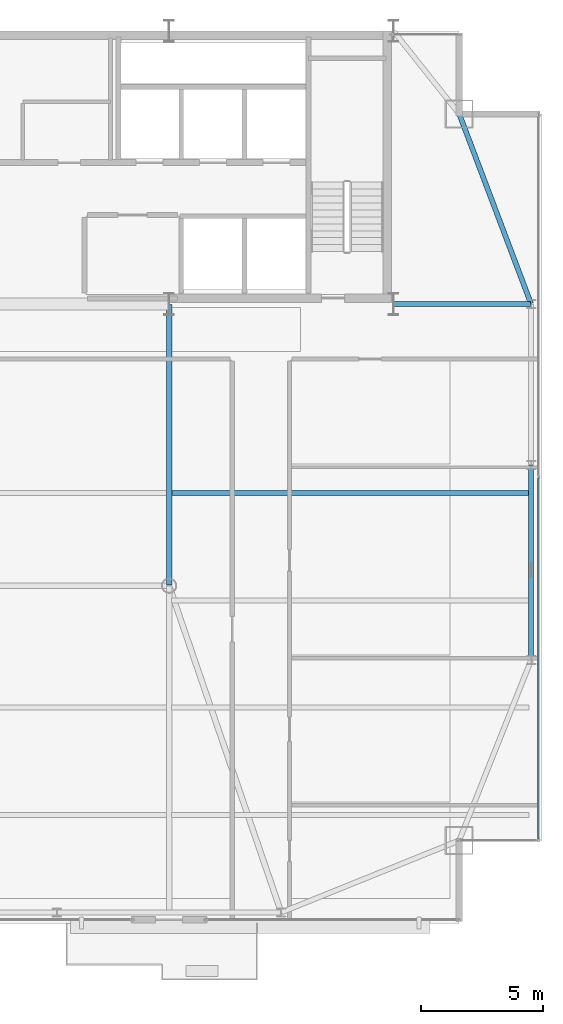
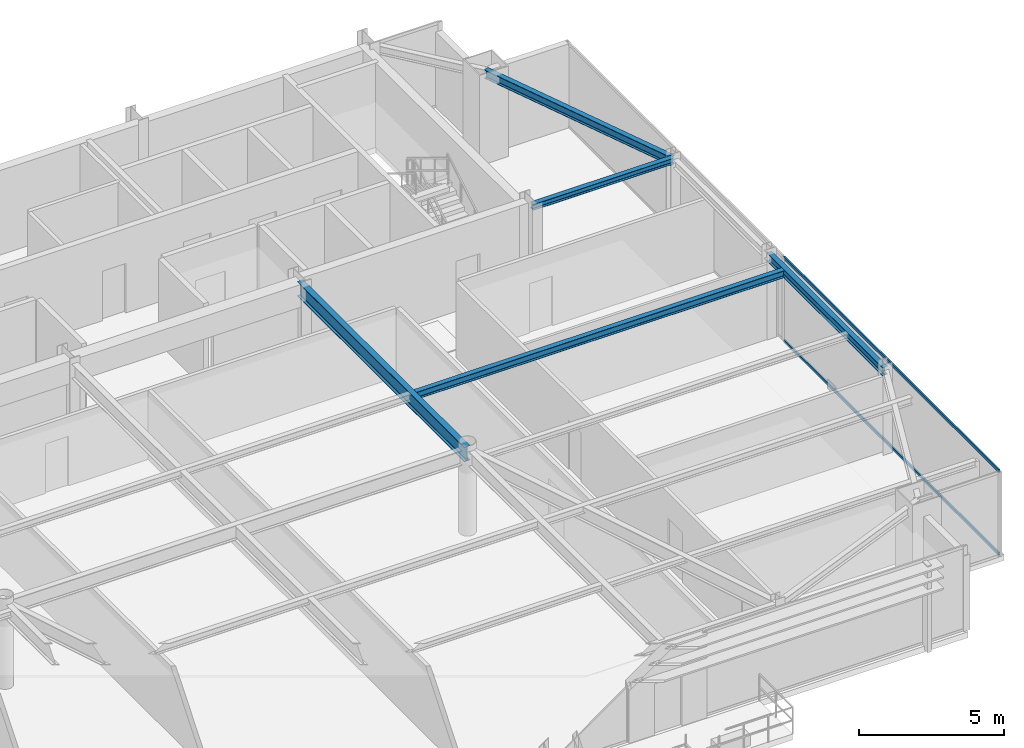
# One storey, part 18 of 30: 5 beams, 2 members, 1 element without a shape of its own.
"""IFC4 building model written with IfcOpenShell, lengths in metres."""

from ifc_helpers import new_model, si_unit, direction, frame, origin, origin_2d, place, context, subcontext, project, spatial, hollow_rectangle, i_section, extrude, source, transform, mapped, material, layer, layer_set, material_profile, profile_set, type_object, type_shapes, element, aggregate, save


model = new_model("IFC4")

# Units and contexts
model_context = context("Model", 3, precision=1e-05, world=origin(), true_north=direction((0.0, 1.0)))
body_context = subcontext(model_context, "Body", "Model", "MODEL_VIEW")
ifc_project = project(units=[si_unit("LENGTHUNIT", "METRE"), si_unit("AREAUNIT", "SQUARE_METRE"), si_unit("VOLUMEUNIT", "CUBIC_METRE"), si_unit("PLANEANGLEUNIT", "RADIAN"), si_unit("MASSUNIT", "GRAM", prefix="KILO")], contexts=[model_context])

# Site, building, storey
site_placement = place(None, origin())
site = spatial("IfcSite", under=ifc_project, at=site_placement, CompositionType="ELEMENT")
building_placement = place(site_placement, origin())
building = spatial("IfcBuilding", under=site, at=building_placement, Name="Varnel Quay Broadcast Tower", CompositionType="ELEMENT")
storey_placement = place(building_placement, frame((0.0, 0.0, 207.39990234375)))
storey = spatial("IfcBuildingStorey", under=building, at=storey_placement, Name="L51", CompositionType="ELEMENT", Elevation=207.39990234375)

# Beams
ifc_material_1 = material(Name="Structural Steel CSA G40.21 350W", Category="steel")
ifc_material_profile_1 = material_profile(ifc_material_1, i_section(OverallWidth=0.205078125, OverallDepth=0.35400390625, WebThickness=0.009521484375, FlangeThickness=0.016845703125, FilletRadius=0.012939453125, at=origin_2d()), Name="W360X79")
ifc_profile_set_1 = profile_set([ifc_material_profile_1], Name="Structural Steel CSA G40.21 350W")
beam_type_1 = type_object("IfcBeamType", Name="Beam_W360X79", PredefinedType="SPANDREL", material=ifc_profile_set_1)
shared_shape_1 = source(origin(), body_context, "Body", "SweptSolid", [
    extrude(i_section(OverallWidth=0.205078125, OverallDepth=0.35400390625, WebThickness=0.009521484375, FlangeThickness=0.016845703125, FilletRadius=0.012939453125, at=origin_2d()), origin(), (0.0, 0.0, 1.0), 7.9599609375),
])
beam_1_placement = place(storey_placement, frame((58.050048828125, 21.02001953125, 3.373046875), z_axis=(0.0, 1.0, 0.0), x_axis=(-1.0, 0.0, 0.0)))
element("IfcBeam", 1, at=beam_1_placement, inside=storey, type_object=beam_type_1, Name="L51 East Spandrel TC-E1-TC-E2", PredefinedType="SPANDREL", context=body_context, shape_type="MappedRepresentation", body=[
    mapped(shared_shape_1, transform((0.0, 0.0, 0.0), x_axis=(1.0, 0.0, 0.0), y_axis=(0.0, 1.0, 0.0), z_axis=(0.0, 0.0, 1.0), scale=1.0)),
])
shared_shape_2 = source(origin(), body_context, "Body", "SweptSolid", [
    extrude(i_section(OverallWidth=0.205078125, OverallDepth=0.35400390625, WebThickness=0.009521484375, FlangeThickness=0.016845703125, FilletRadius=0.012939453125, at=origin_2d()), origin(), (0.0, 0.0, 1.0), 8.29931640625),
])
type_shapes(beam_type_1, [shared_shape_1, shared_shape_2])
beam_2_placement = place(storey_placement, frame((58.04296875, 35.61865234375, 3.373046875), z_axis=(-0.353739782058, 0.935343876117, 0.0), x_axis=(-0.935343876117, -0.353739782058, 0.0)))
element("IfcBeam", 2, at=beam_2_placement, inside=storey, type_object=beam_type_1, Name="L51 East Spandrel TC-E3-MC-NE", PredefinedType="SPANDREL", context=body_context, shape_type="MappedRepresentation", body=[
    mapped(shared_shape_2, transform((0.0, 0.0, 0.0), x_axis=(1.0, 0.0, 0.0), y_axis=(0.0, 1.0, 0.0), z_axis=(0.0, 0.0, 1.0), scale=1.0)),
])
ifc_material_profile_2 = material_profile(ifc_material_1, i_section(OverallWidth=0.22998046875, OverallDepth=0.616943359375, WebThickness=0.01318359375, FlangeThickness=0.022216796875, FilletRadius=0.01611328125, at=origin_2d()), Name="W610X140")
ifc_profile_set_2 = profile_set([ifc_material_profile_2], Name="Structural Steel CSA G40.21 350W")
beam_type_2 = type_object("IfcBeamType", Name="Girder_W610X140", PredefinedType="BEAM", material=ifc_profile_set_2)
shared_shape_3 = source(origin(), body_context, "Body", "SweptSolid", [
    extrude(i_section(OverallWidth=0.22998046875, OverallDepth=0.616943359375, WebThickness=0.01318359375, FlangeThickness=0.022216796875, FilletRadius=0.01611328125, at=origin_2d()), origin(), (0.0, 0.0, 1.0), 11.510009765625),
])
type_shapes(beam_type_2, [shared_shape_3])
beam_3_placement = place(storey_placement, frame((43.199951171875, 24.070068359375, 3.24169921875), z_axis=(0.0, 1.0, 0.0), x_axis=(-1.0, 0.0, 0.0)))
element("IfcBeam", 3, at=beam_3_placement, inside=storey, type_object=beam_type_2, Name="L51 Primary Girder IC-02-CC-S4", PredefinedType="BEAM", context=body_context, shape_type="MappedRepresentation", body=[
    mapped(shared_shape_3, transform((0.0, 0.0, 0.0), x_axis=(1.0, 0.0, 0.0), y_axis=(0.0, 1.0, 0.0), z_axis=(0.0, 0.0, 1.0), scale=1.0)),
])
ifc_material_profile_3 = material_profile(ifc_material_1, i_section(OverallWidth=0.201904296875, OverallDepth=0.2470703125, WebThickness=0.00732421875, FlangeThickness=0.010986328125, FilletRadius=0.010986328125, at=origin_2d()), Name="W250X49")
ifc_profile_set_3 = profile_set([ifc_material_profile_3], Name="Structural Steel CSA G40.21 350W")
beam_type_3 = type_object("IfcBeamType", Name="Beam_W250X49", PredefinedType="JOIST", material=ifc_profile_set_3)
shared_shape_4 = source(origin(), body_context, "Body", "SweptSolid", [
    extrude(i_section(OverallWidth=0.201904296875, OverallDepth=0.2470703125, WebThickness=0.00732421875, FlangeThickness=0.010986328125, FilletRadius=0.010986328125, at=origin_2d()), origin(), (0.0, 0.0, 1.0), 5.610107421875),
])
type_shapes(beam_type_3, [shared_shape_4])
beam_4_placement = place(storey_placement, frame((52.419921875, 35.60009765625, 3.426513671875), z_axis=(1.0, 0.0, 0.0), x_axis=(0.0, 1.0, 0.0)))
element("IfcBeam", 4, at=beam_4_placement, inside=storey, type_object=beam_type_3, Name="L51 East Core Tie Joist", PredefinedType="JOIST", context=body_context, shape_type="MappedRepresentation", body=[
    mapped(shared_shape_4, transform((0.0, 0.0, 0.0), x_axis=(1.0, 0.0, 0.0), y_axis=(0.0, 1.0, 0.0), z_axis=(0.0, 0.0, 1.0), scale=1.0)),
])
ifc_material_profile_4 = material_profile(ifc_material_1, i_section(OverallWidth=0.202880859375, OverallDepth=0.302978515625, WebThickness=0.007568359375, FlangeThickness=0.01318359375, FilletRadius=0.011962890625, at=origin_2d()), Name="W310X60")
ifc_profile_set_4 = profile_set([ifc_material_profile_4], Name="Structural Steel CSA G40.21 350W")
beam_type_4 = type_object("IfcBeamType", Name="Beam_W310X60", PredefinedType="JOIST", material=ifc_profile_set_4)
shared_shape_5 = source(origin(), body_context, "Body", "SweptSolid", [
    extrude(i_section(OverallWidth=0.202880859375, OverallDepth=0.302978515625, WebThickness=0.007568359375, FlangeThickness=0.01318359375, FilletRadius=0.011962890625, at=origin_2d()), origin(), (0.0, 0.0, 1.0), 14.642333984375),
])
type_shapes(beam_type_4, [shared_shape_5])
beam_5_placement = place(storey_placement, frame((43.31005859375, 27.85009765625, 3.398681640625), z_axis=(1.0, 0.0, 0.0), x_axis=(0.0, 1.0, 0.0)))
element("IfcBeam", 5, at=beam_5_placement, inside=storey, type_object=beam_type_4, Name="L51 East Floor Joist 4", PredefinedType="JOIST", context=body_context, shape_type="MappedRepresentation", body=[
    mapped(shared_shape_5, transform((0.0, 0.0, 0.0), x_axis=(1.0, 0.0, 0.0), y_axis=(0.0, 1.0, 0.0), z_axis=(0.0, 0.0, 1.0), scale=1.0)),
])

# Curtain wall, members
ifc_material_2 = material(Name="Anodised Bronze Aluminium 6063-T6", Category="aluminium")
ifc_layer = layer(ifc_material_2, 0.18994140625, Name="Anodised Bronze Aluminium 6063-T6")
ifc_layer_set = layer_set([ifc_layer], Name="Anodised Bronze Aluminium 6063-T6")
curtain_wall_type = type_object("IfcCurtainWallType", Name="CW_UpperTower", PredefinedType="NOTDEFINED", material=ifc_layer_set)
curtain_wall_placement = place(storey_placement, origin())
curtain_wall = element("IfcCurtainWall", 6, at=curtain_wall_placement, inside=storey, type_object=curtain_wall_type, Name="L51 East Unitised Curtain Wall", PredefinedType="NOTDEFINED")
ifc_material_profile_5 = material_profile(ifc_material_2, hollow_rectangle(XDim=0.06005859375, YDim=0.125, WallThickness=0.0029296875, at=origin_2d()), Name="ALU60X125X3")
ifc_profile_set_5 = profile_set([ifc_material_profile_5], Name="Anodised Bronze Aluminium 6063-T6")
member_type = type_object("IfcMemberType", Name="Tran_CWS-03", PredefinedType="USERDEFINED", material=ifc_profile_set_5)
shared_shape_6 = source(origin(), body_context, "Body", "SweptSolid", [
    extrude(hollow_rectangle(XDim=0.06005859375, YDim=0.125, WallThickness=0.0029296875, at=origin_2d()), origin(), (0.0, 0.0, 1.0), 14.802490234375),
])
type_shapes(member_type, [shared_shape_6])
member_1_placement = place(storey_placement, frame((58.35009765625, 13.6650390625, 0.030029296875), z_axis=(0.0, 1.0, 0.0), x_axis=(-1.0, 0.0, 0.0)))
member_1 = element("IfcMember", 7, at=member_1_placement, type_object=member_type, Name="CWS-03 transom 1.1", ObjectType="TRANSOM", PredefinedType="USERDEFINED", context=body_context, shape_type="MappedRepresentation", body=[
    mapped(shared_shape_6, transform((0.0, 0.0, 0.0), x_axis=(1.0, 0.0, 0.0), y_axis=(0.0, 1.0, 0.0), z_axis=(0.0, 0.0, 1.0), scale=1.0)),
])
member_2_placement = place(storey_placement, frame((58.35009765625, 13.6650390625, 3.52001953125), z_axis=(0.0, 1.0, 0.0), x_axis=(-1.0, 0.0, 0.0)))
member_2 = element("IfcMember", 8, at=member_2_placement, type_object=member_type, Name="CWS-03 transom 1.2", ObjectType="TRANSOM", PredefinedType="USERDEFINED", context=body_context, shape_type="MappedRepresentation", body=[
    mapped(shared_shape_6, transform((0.0, 0.0, 0.0), x_axis=(1.0, 0.0, 0.0), y_axis=(0.0, 1.0, 0.0), z_axis=(0.0, 0.0, 1.0), scale=1.0)),
])
aggregate(curtain_wall, [member_1, member_2])

save(model, "model.ifc")
